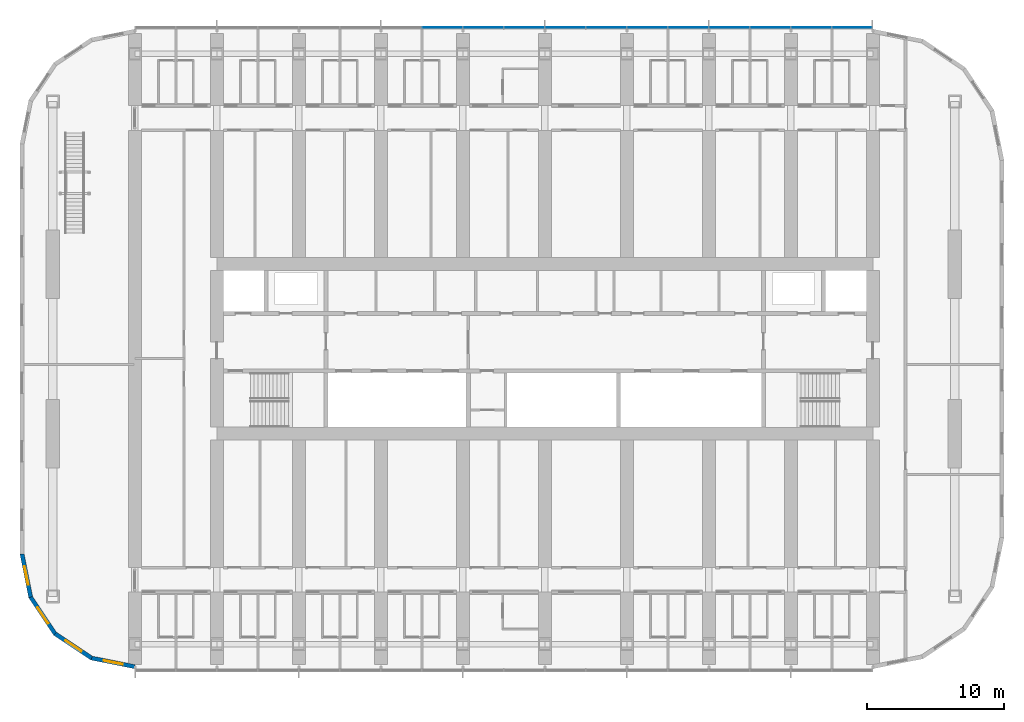
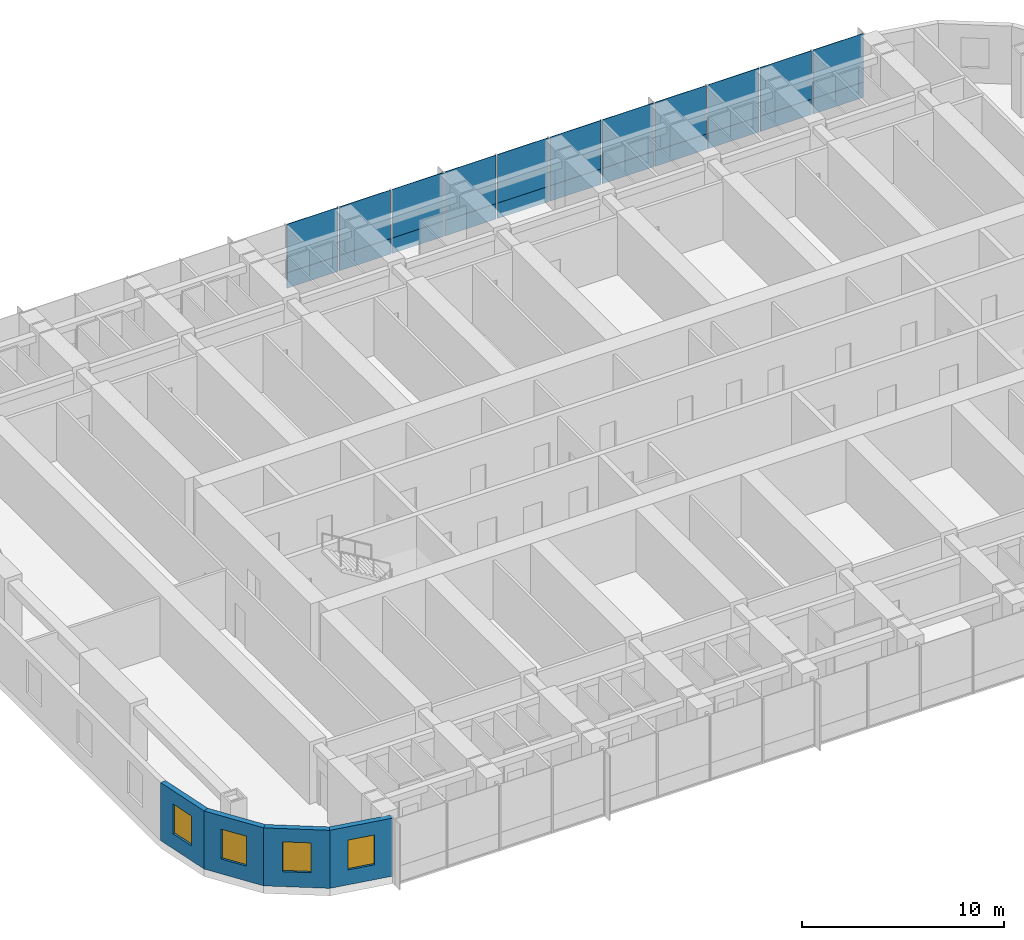
# One storey, part 9 of 26: 22 plates, 4 walls, 4 windows, 4 openings, 1 element without a shape of its own.
"""IFC4 building model written with IfcOpenShell, lengths in metres."""

from ifc_helpers import new_model, si_unit, direction, frame, frame_2d, origin, origin_2d, place, context, subcontext, project, spatial, polyline, rectangle, outline, extrude, material, layer, layer_set, type_object, element, fill, aggregate, save


model = new_model("IFC4")

# Units and contexts
model_context = context("Model", 3, precision=1e-05, world=origin(), true_north=direction((0.0, 1.0)))
body_context = subcontext(model_context, "Body", "Model", "MODEL_VIEW")
ifc_project = project(units=[si_unit("LENGTHUNIT", "METRE"), si_unit("AREAUNIT", "SQUARE_METRE"), si_unit("VOLUMEUNIT", "CUBIC_METRE"), si_unit("PLANEANGLEUNIT", "RADIAN"), si_unit("MASSUNIT", "GRAM", prefix="KILO")], contexts=[model_context])

# Site, building, storey
site_placement = place(None, origin())
site = spatial("IfcSite", under=ifc_project, at=site_placement, CompositionType="ELEMENT")
building_placement = place(site_placement, origin())
building = spatial("IfcBuilding", under=site, at=building_placement, Name="Orbita Commons", CompositionType="ELEMENT")
storey_placement = place(building_placement, frame((0.0, 0.0, 114.39990234375)))
storey = spatial("IfcBuildingStorey", under=building, at=storey_placement, Name="L28", CompositionType="ELEMENT", Elevation=114.39990234375)

# Curtain wall, plates
ifc_material_1 = material(Name="Anodised aluminium frame, pale silver", Category="aluminium")
curtain_wall_type = type_object("IfcCurtainWallType", Name="Unitised curtain wall CW-T, vision and spandrel", PredefinedType="NOTDEFINED", material=ifc_material_1)
curtain_wall_placement = place(storey_placement, origin())
curtain_wall = element("IfcCurtainWall", 1, at=curtain_wall_placement, inside=storey, type_object=curtain_wall_type, Name="Curtain wall north L28", PredefinedType="NOTDEFINED")
ifc_material_2 = material(Name="Anodised aluminium sheet on mineral wool", Category="aluminium")
ifc_layer_1 = layer(ifc_material_2, 0.050048828125)
ifc_layer_set_1 = layer_set([ifc_layer_1], Name="Anodised aluminium sheet on mineral wool")
plate_type_1 = type_object("IfcPlateType", Name="Spandrel panel, pale aluminium over insulation 50", PredefinedType="CURTAIN_PANEL", material=ifc_layer_set_1)
plate_1_placement = place(storey_placement, frame((64.47998046875, 55.510009765625, -0.35009765625), z_axis=(0.0, 0.0, 1.0), x_axis=(-1.0, 0.0, 0.0)))
plate_1 = element("IfcPlate", 2, at=plate_1_placement, type_object=plate_type_1, Name="Panel 1.1 CW-L28-N", PredefinedType="CURTAIN_PANEL", context=body_context, shape_type="SweptSolid", body=[
    extrude(rectangle(XDim=2.8798828125, YDim=0.050048828125, at=origin_2d()), origin(), (0.0, 0.0, 1.0), 0.927001953125),
])
plate_2_placement = place(storey_placement, frame((61.5, 55.510009765625, -0.35009765625), z_axis=(0.0, 0.0, 1.0), x_axis=(-1.0, 0.0, 0.0)))
plate_2 = element("IfcPlate", 3, at=plate_2_placement, type_object=plate_type_1, Name="Panel 2.1 CW-L28-N", PredefinedType="CURTAIN_PANEL", context=body_context, shape_type="SweptSolid", body=[
    extrude(rectangle(XDim=2.919921875, YDim=0.050048828125, at=origin_2d()), origin(), (0.0, 0.0, 1.0), 0.927001953125),
])
plate_3_placement = place(storey_placement, frame((58.5, 55.510009765625, -0.35009765625), z_axis=(0.0, 0.0, 1.0), x_axis=(-1.0, 0.0, 0.0)))
plate_3 = element("IfcPlate", 4, at=plate_3_placement, type_object=plate_type_1, Name="Panel 3.1 CW-L28-N", PredefinedType="CURTAIN_PANEL", context=body_context, shape_type="SweptSolid", body=[
    extrude(rectangle(XDim=2.919921875, YDim=0.050048828125, at=origin_2d()), origin(), (0.0, 0.0, 1.0), 0.927001953125),
])
plate_4_placement = place(storey_placement, frame((55.5, 55.510009765625, -0.35009765625), z_axis=(0.0, 0.0, 1.0), x_axis=(-1.0, 0.0, 0.0)))
plate_4 = element("IfcPlate", 5, at=plate_4_placement, type_object=plate_type_1, Name="Panel 4.1 CW-L28-N", PredefinedType="CURTAIN_PANEL", context=body_context, shape_type="SweptSolid", body=[
    extrude(rectangle(XDim=2.919921875, YDim=0.050048828125, at=origin_2d()), origin(), (0.0, 0.0, 1.0), 0.927001953125),
])
plate_5_placement = place(storey_placement, frame((52.5, 55.510009765625, -0.35009765625), z_axis=(0.0, 0.0, 1.0), x_axis=(-1.0, 0.0, 0.0)))
plate_5 = element("IfcPlate", 6, at=plate_5_placement, type_object=plate_type_1, Name="Panel 5.1 CW-L28-N", PredefinedType="CURTAIN_PANEL", context=body_context, shape_type="SweptSolid", body=[
    extrude(rectangle(XDim=2.919921875, YDim=0.050048828125, at=origin_2d()), origin(), (0.0, 0.0, 1.0), 0.927001953125),
])
plate_6_placement = place(storey_placement, frame((49.5, 55.510009765625, -0.35009765625), z_axis=(0.0, 0.0, 1.0), x_axis=(-1.0, 0.0, 0.0)))
plate_6 = element("IfcPlate", 7, at=plate_6_placement, type_object=plate_type_1, Name="Panel 6.1 CW-L28-N", PredefinedType="CURTAIN_PANEL", context=body_context, shape_type="SweptSolid", body=[
    extrude(rectangle(XDim=2.919921875, YDim=0.050048828125, at=origin_2d()), origin(), (0.0, 0.0, 1.0), 0.927001953125),
])
plate_7_placement = place(storey_placement, frame((46.5, 55.510009765625, -0.35009765625), z_axis=(0.0, 0.0, 1.0), x_axis=(-1.0, 0.0, 0.0)))
plate_7 = element("IfcPlate", 8, at=plate_7_placement, type_object=plate_type_1, Name="Panel 7.1 CW-L28-N", PredefinedType="CURTAIN_PANEL", context=body_context, shape_type="SweptSolid", body=[
    extrude(rectangle(XDim=2.919921875, YDim=0.050048828125, at=origin_2d()), origin(), (0.0, 0.0, 1.0), 0.927001953125),
])
plate_8_placement = place(storey_placement, frame((43.5, 55.510009765625, -0.35009765625), z_axis=(0.0, 0.0, 1.0), x_axis=(-1.0, 0.0, 0.0)))
plate_8 = element("IfcPlate", 9, at=plate_8_placement, type_object=plate_type_1, Name="Panel 8.1 CW-L28-N", PredefinedType="CURTAIN_PANEL", context=body_context, shape_type="SweptSolid", body=[
    extrude(rectangle(XDim=2.919921875, YDim=0.050048828125, at=origin_2d()), origin(), (0.0, 0.0, 1.0), 0.927001953125),
])
plate_9_placement = place(storey_placement, frame((40.5, 55.510009765625, -0.35009765625), z_axis=(0.0, 0.0, 1.0), x_axis=(-1.0, 0.0, 0.0)))
plate_9 = element("IfcPlate", 10, at=plate_9_placement, type_object=plate_type_1, Name="Panel 9.1 CW-L28-N", PredefinedType="CURTAIN_PANEL", context=body_context, shape_type="SweptSolid", body=[
    extrude(rectangle(XDim=2.919921875, YDim=0.050048828125, at=origin_2d()), origin(), (0.0, 0.0, 1.0), 0.927001953125),
])
plate_10_placement = place(storey_placement, frame((37.5, 55.510009765625, -0.35009765625), z_axis=(0.0, 0.0, 1.0), x_axis=(-1.0, 0.0, 0.0)))
plate_10 = element("IfcPlate", 11, at=plate_10_placement, type_object=plate_type_1, Name="Panel 10.1 CW-L28-N", PredefinedType="CURTAIN_PANEL", context=body_context, shape_type="SweptSolid", body=[
    extrude(rectangle(XDim=2.919921875, YDim=0.050048828125, at=origin_2d()), origin(), (0.0, 0.0, 1.0), 0.927001953125),
])
plate_11_placement = place(storey_placement, frame((34.5, 55.510009765625, -0.35009765625), z_axis=(0.0, 0.0, 1.0), x_axis=(-1.0, 0.0, 0.0)))
plate_11 = element("IfcPlate", 12, at=plate_11_placement, type_object=plate_type_1, Name="Panel 11.1 CW-L28-N", PredefinedType="CURTAIN_PANEL", context=body_context, shape_type="SweptSolid", body=[
    extrude(rectangle(XDim=2.919921875, YDim=0.050048828125, at=origin_2d()), origin(), (0.0, 0.0, 1.0), 0.927001953125),
])
ifc_material_3 = material(Name="Clear double glazing", Category="glass")
ifc_layer_2 = layer(ifc_material_3, 0.031982421875)
ifc_layer_set_2 = layer_set([ifc_layer_2], Name="Clear double glazing")
plate_type_2 = type_object("IfcPlateType", Name="Vision panel, clear double glazing 32", PredefinedType="CURTAIN_PANEL", material=ifc_layer_set_2)
plate_12_placement = place(storey_placement, frame((64.47998046875, 55.510009765625, 0.5771484375), z_axis=(0.0, 0.0, 1.0), x_axis=(-1.0, 0.0, 0.0)))
plate_12 = element("IfcPlate", 13, at=plate_12_placement, type_object=plate_type_2, Name="Panel 1.2 CW-L28-N", PredefinedType="CURTAIN_PANEL", context=body_context, shape_type="SweptSolid", body=[
    extrude(rectangle(XDim=2.8798828125, YDim=0.031982421875, at=origin_2d()), origin(), (0.0, 0.0, 1.0), 2.923095703125),
])
plate_13_placement = place(storey_placement, frame((61.5, 55.510009765625, 0.5771484375), z_axis=(0.0, 0.0, 1.0), x_axis=(-1.0, 0.0, 0.0)))
plate_13 = element("IfcPlate", 14, at=plate_13_placement, type_object=plate_type_2, Name="Panel 2.2 CW-L28-N", PredefinedType="CURTAIN_PANEL", context=body_context, shape_type="SweptSolid", body=[
    extrude(rectangle(XDim=2.919921875, YDim=0.031982421875, at=origin_2d()), origin(), (0.0, 0.0, 1.0), 2.923095703125),
])
plate_14_placement = place(storey_placement, frame((58.5, 55.510009765625, 0.5771484375), z_axis=(0.0, 0.0, 1.0), x_axis=(-1.0, 0.0, 0.0)))
plate_14 = element("IfcPlate", 15, at=plate_14_placement, type_object=plate_type_2, Name="Panel 3.2 CW-L28-N", PredefinedType="CURTAIN_PANEL", context=body_context, shape_type="SweptSolid", body=[
    extrude(rectangle(XDim=2.919921875, YDim=0.031982421875, at=origin_2d()), origin(), (0.0, 0.0, 1.0), 2.923095703125),
])
plate_15_placement = place(storey_placement, frame((55.5, 55.510009765625, 0.5771484375), z_axis=(0.0, 0.0, 1.0), x_axis=(-1.0, 0.0, 0.0)))
plate_15 = element("IfcPlate", 16, at=plate_15_placement, type_object=plate_type_2, Name="Panel 4.2 CW-L28-N", PredefinedType="CURTAIN_PANEL", context=body_context, shape_type="SweptSolid", body=[
    extrude(rectangle(XDim=2.919921875, YDim=0.031982421875, at=origin_2d()), origin(), (0.0, 0.0, 1.0), 2.923095703125),
])
plate_16_placement = place(storey_placement, frame((52.5, 55.510009765625, 0.5771484375), z_axis=(0.0, 0.0, 1.0), x_axis=(-1.0, 0.0, 0.0)))
plate_16 = element("IfcPlate", 17, at=plate_16_placement, type_object=plate_type_2, Name="Panel 5.2 CW-L28-N", PredefinedType="CURTAIN_PANEL", context=body_context, shape_type="SweptSolid", body=[
    extrude(rectangle(XDim=2.919921875, YDim=0.031982421875, at=origin_2d()), origin(), (0.0, 0.0, 1.0), 2.923095703125),
])
plate_17_placement = place(storey_placement, frame((49.5, 55.510009765625, 0.5771484375), z_axis=(0.0, 0.0, 1.0), x_axis=(-1.0, 0.0, 0.0)))
plate_17 = element("IfcPlate", 18, at=plate_17_placement, type_object=plate_type_2, Name="Panel 6.2 CW-L28-N", PredefinedType="CURTAIN_PANEL", context=body_context, shape_type="SweptSolid", body=[
    extrude(rectangle(XDim=2.919921875, YDim=0.031982421875, at=origin_2d()), origin(), (0.0, 0.0, 1.0), 2.923095703125),
])
plate_18_placement = place(storey_placement, frame((46.5, 55.510009765625, 0.5771484375), z_axis=(0.0, 0.0, 1.0), x_axis=(-1.0, 0.0, 0.0)))
plate_18 = element("IfcPlate", 19, at=plate_18_placement, type_object=plate_type_2, Name="Panel 7.2 CW-L28-N", PredefinedType="CURTAIN_PANEL", context=body_context, shape_type="SweptSolid", body=[
    extrude(rectangle(XDim=2.919921875, YDim=0.031982421875, at=origin_2d()), origin(), (0.0, 0.0, 1.0), 2.923095703125),
])
plate_19_placement = place(storey_placement, frame((43.5, 55.510009765625, 0.5771484375), z_axis=(0.0, 0.0, 1.0), x_axis=(-1.0, 0.0, 0.0)))
plate_19 = element("IfcPlate", 20, at=plate_19_placement, type_object=plate_type_2, Name="Panel 8.2 CW-L28-N", PredefinedType="CURTAIN_PANEL", context=body_context, shape_type="SweptSolid", body=[
    extrude(rectangle(XDim=2.919921875, YDim=0.031982421875, at=origin_2d()), origin(), (0.0, 0.0, 1.0), 2.923095703125),
])
plate_20_placement = place(storey_placement, frame((40.5, 55.510009765625, 0.5771484375), z_axis=(0.0, 0.0, 1.0), x_axis=(-1.0, 0.0, 0.0)))
plate_20 = element("IfcPlate", 21, at=plate_20_placement, type_object=plate_type_2, Name="Panel 9.2 CW-L28-N", PredefinedType="CURTAIN_PANEL", context=body_context, shape_type="SweptSolid", body=[
    extrude(rectangle(XDim=2.919921875, YDim=0.031982421875, at=origin_2d()), origin(), (0.0, 0.0, 1.0), 2.923095703125),
])
plate_21_placement = place(storey_placement, frame((37.5, 55.510009765625, 0.5771484375), z_axis=(0.0, 0.0, 1.0), x_axis=(-1.0, 0.0, 0.0)))
plate_21 = element("IfcPlate", 22, at=plate_21_placement, type_object=plate_type_2, Name="Panel 10.2 CW-L28-N", PredefinedType="CURTAIN_PANEL", context=body_context, shape_type="SweptSolid", body=[
    extrude(rectangle(XDim=2.919921875, YDim=0.031982421875, at=origin_2d()), origin(), (0.0, 0.0, 1.0), 2.923095703125),
])
plate_22_placement = place(storey_placement, frame((34.5, 55.510009765625, 0.5771484375), z_axis=(0.0, 0.0, 1.0), x_axis=(-1.0, 0.0, 0.0)))
plate_22 = element("IfcPlate", 23, at=plate_22_placement, type_object=plate_type_2, Name="Panel 11.2 CW-L28-N", PredefinedType="CURTAIN_PANEL", context=body_context, shape_type="SweptSolid", body=[
    extrude(rectangle(XDim=2.919921875, YDim=0.031982421875, at=origin_2d()), origin(), (0.0, 0.0, 1.0), 2.923095703125),
])
aggregate(curtain_wall, [plate_1, plate_12, plate_2, plate_13, plate_3, plate_14, plate_4, plate_15, plate_5, plate_16, plate_6, plate_17, plate_7, plate_18, plate_8, plate_19, plate_9, plate_20, plate_10, plate_21, plate_11, plate_22])

# Wall, opening, window
ifc_material_4 = material(Name="Precast concrete C40/50, white board-marked finish", Category="concrete")
ifc_layer_3 = layer(ifc_material_4, 0.300048828125)
ifc_layer_set_3 = layer_set([ifc_layer_3], Name="Precast concrete C40/50, white board-marked finish")
wall_type = type_object("IfcWallType", Name="Precast concrete end shield 300", PredefinedType="SOLIDWALL", material=ifc_layer_set_3)
wall_1_placement = place(storey_placement, frame((3.75, 17.0, 0.0), z_axis=(0.0, 0.0, 1.0), x_axis=(0.195080412259, -0.980787251524, 0.0)))
wall_1 = element("IfcWall", 24, at=wall_1_placement, inside=storey, type_object=wall_type, Name="End shield SW chord 1 L28", PredefinedType="SOLIDWALL", context=body_context, shape_type="SweptSolid", body=[
    extrude(outline(polyline([(-0.014892578125, -0.14990234375), (3.24853515625, -0.14990234375), (3.18896484375, 0.14990234375), (0.014892578125, 0.14990234375), (-0.014892578125, -0.14990234375)])), origin(), (0.0, 0.0, 1.0), 3.5),
])
opening_1_placement = place(wall_1_placement, frame((0.909423828125, 0.0, 0.89990234375)))
opening_1 = element("IfcOpeningElement", 25, at=opening_1_placement, cuts=wall_1, Name="Opening W02", PredefinedType="OPENING", context=body_context, shape_type="SweptSolid", body=[
    extrude(rectangle(XDim=1.39990234375, YDim=1.800048828125, at=frame_2d((0.699951171875, 0.89990234375))), frame((0.0, 0.159912109375, 0.0), z_axis=(0.0, -1.0, 0.0), x_axis=(1.0, 0.0, 0.0)), (0.0, 0.0, 1.0), 0.320068359375),
])
ifc_material_5 = material(Name="Aluminium frame, clear double glazing", Category="aluminium")
window_type = type_object("IfcWindowType", Name="Deep-set window 1400x1800", PartitioningType="SINGLE_PANEL", PredefinedType="WINDOW", material=ifc_material_5)
window_1_placement = place(opening_1_placement, origin())
window_1 = element("IfcWindow", 26, at=window_1_placement, inside=storey, type_object=window_type, Name="Window L28-SW0", OverallHeight=1.800048828125, OverallWidth=1.39990234375, PartitioningType="SINGLE_PANEL", PredefinedType="WINDOW", context=body_context, shape_type="SweptSolid", body=[
    extrude(rectangle(XDim=1.39990234375, YDim=1.800048828125, at=frame_2d((0.699951171875, 0.89990234375))), frame((0.0, 0.030029296875, 0.0), z_axis=(0.0, -1.0, 0.0), x_axis=(1.0, 0.0, 0.0)), (0.0, 0.0, 1.0), 0.06005859375),
])
fill(opening_1, window_1)

wall_2_placement = place(storey_placement, frame((4.3779296875, 13.843017578125, 0.0), z_axis=(0.0, 0.0, 1.0), x_axis=(0.555609954424, -0.831443069936, 0.0)))
wall_2 = element("IfcWall", 27, at=wall_2_placement, inside=storey, type_object=wall_type, Name="End shield SW chord 2 L28", PredefinedType="SOLIDWALL", context=body_context, shape_type="SweptSolid", body=[
    extrude(outline(polyline([(-0.02978515625, -0.14990234375), (3.2490234375, -0.14990234375), (3.189453125, 0.14990234375), (0.02978515625, 0.14990234375), (-0.02978515625, -0.14990234375)])), origin(), (0.0, 0.0, 1.0), 3.5),
])
opening_2_placement = place(wall_2_placement, frame((0.909423828125, 0.0, 0.89990234375)))
opening_2 = element("IfcOpeningElement", 28, at=opening_2_placement, cuts=wall_2, Name="Opening W02", PredefinedType="OPENING", context=body_context, shape_type="SweptSolid", body=[
    extrude(rectangle(XDim=1.39990234375, YDim=1.800048828125, at=frame_2d((0.699951171875, 0.89990234375))), frame((0.0, 0.159912109375, 0.0), z_axis=(0.0, -1.0, 0.0), x_axis=(1.0, 0.0, 0.0)), (0.0, 0.0, 1.0), 0.320068359375),
])
window_2_placement = place(opening_2_placement, origin())
window_2 = element("IfcWindow", 29, at=window_2_placement, inside=storey, type_object=window_type, Name="Window L28-SW1", OverallHeight=1.800048828125, OverallWidth=1.39990234375, PartitioningType="SINGLE_PANEL", PredefinedType="WINDOW", context=body_context, shape_type="SweptSolid", body=[
    extrude(rectangle(XDim=1.39990234375, YDim=1.800048828125, at=frame_2d((0.699951171875, 0.89990234375))), frame((0.0, 0.030029296875, 0.0), z_axis=(0.0, -1.0, 0.0), x_axis=(1.0, 0.0, 0.0)), (0.0, 0.0, 1.0), 0.06005859375),
])
fill(opening_2, window_2)

wall_3_placement = place(storey_placement, frame((6.16650390625, 11.16650390625, 0.0), z_axis=(0.0, 0.0, 1.0), x_axis=(0.831443069936, -0.555609954424, 0.0)))
wall_3 = element("IfcWall", 30, at=wall_3_placement, inside=storey, type_object=wall_type, Name="End shield SW chord 3 L28", PredefinedType="SOLIDWALL", context=body_context, shape_type="SweptSolid", body=[
    extrude(outline(polyline([(-0.02978515625, -0.14990234375), (3.2490234375, -0.14990234375), (3.189453125, 0.14990234375), (0.02978515625, 0.14990234375), (-0.02978515625, -0.14990234375)])), origin(), (0.0, 0.0, 1.0), 3.5),
])
opening_3_placement = place(wall_3_placement, frame((0.909423828125, 0.0, 0.89990234375)))
opening_3 = element("IfcOpeningElement", 31, at=opening_3_placement, cuts=wall_3, Name="Opening W02", PredefinedType="OPENING", context=body_context, shape_type="SweptSolid", body=[
    extrude(rectangle(XDim=1.39990234375, YDim=1.800048828125, at=frame_2d((0.699951171875, 0.89990234375))), frame((0.0, 0.159912109375, 0.0), z_axis=(0.0, -1.0, 0.0), x_axis=(1.0, 0.0, 0.0)), (0.0, 0.0, 1.0), 0.320068359375),
])
window_3_placement = place(opening_3_placement, origin())
window_3 = element("IfcWindow", 32, at=window_3_placement, inside=storey, type_object=window_type, Name="Window L28-SW2", OverallHeight=1.800048828125, OverallWidth=1.39990234375, PartitioningType="SINGLE_PANEL", PredefinedType="WINDOW", context=body_context, shape_type="SweptSolid", body=[
    extrude(rectangle(XDim=1.39990234375, YDim=1.800048828125, at=frame_2d((0.699951171875, 0.89990234375))), frame((0.0, 0.030029296875, 0.0), z_axis=(0.0, -1.0, 0.0), x_axis=(1.0, 0.0, 0.0)), (0.0, 0.0, 1.0), 0.06005859375),
])
fill(opening_3, window_3)

wall_4_placement = place(storey_placement, frame((8.843017578125, 9.3779296875, 0.0), z_axis=(0.0, 0.0, 1.0), x_axis=(0.980787251524, -0.195080412259, 0.0)))
wall_4 = element("IfcWall", 33, at=wall_4_placement, inside=storey, type_object=wall_type, Name="End shield SW chord 4 L28", PredefinedType="SOLIDWALL", context=body_context, shape_type="SweptSolid", body=[
    extrude(outline(polyline([(-0.02978515625, -0.14990234375), (3.24853515625, -0.14990234375), (3.18896484375, 0.14990234375), (0.02978515625, 0.14990234375), (-0.02978515625, -0.14990234375)])), origin(), (0.0, 0.0, 1.0), 3.5),
])
opening_4_placement = place(wall_4_placement, frame((0.909423828125, 0.0, 0.89990234375)))
opening_4 = element("IfcOpeningElement", 34, at=opening_4_placement, cuts=wall_4, Name="Opening W02", PredefinedType="OPENING", context=body_context, shape_type="SweptSolid", body=[
    extrude(rectangle(XDim=1.39990234375, YDim=1.800048828125, at=frame_2d((0.699951171875, 0.89990234375))), frame((0.0, 0.159912109375, 0.0), z_axis=(0.0, -1.0, 0.0), x_axis=(1.0, 0.0, 0.0)), (0.0, 0.0, 1.0), 0.320068359375),
])
window_4_placement = place(opening_4_placement, origin())
window_4 = element("IfcWindow", 35, at=window_4_placement, inside=storey, type_object=window_type, Name="Window L28-SW3", OverallHeight=1.800048828125, OverallWidth=1.39990234375, PartitioningType="SINGLE_PANEL", PredefinedType="WINDOW", context=body_context, shape_type="SweptSolid", body=[
    extrude(rectangle(XDim=1.39990234375, YDim=1.800048828125, at=frame_2d((0.699951171875, 0.89990234375))), frame((0.0, 0.030029296875, 0.0), z_axis=(0.0, -1.0, 0.0), x_axis=(1.0, 0.0, 0.0)), (0.0, 0.0, 1.0), 0.06005859375),
])
fill(opening_4, window_4)

save(model, "model.ifc")
